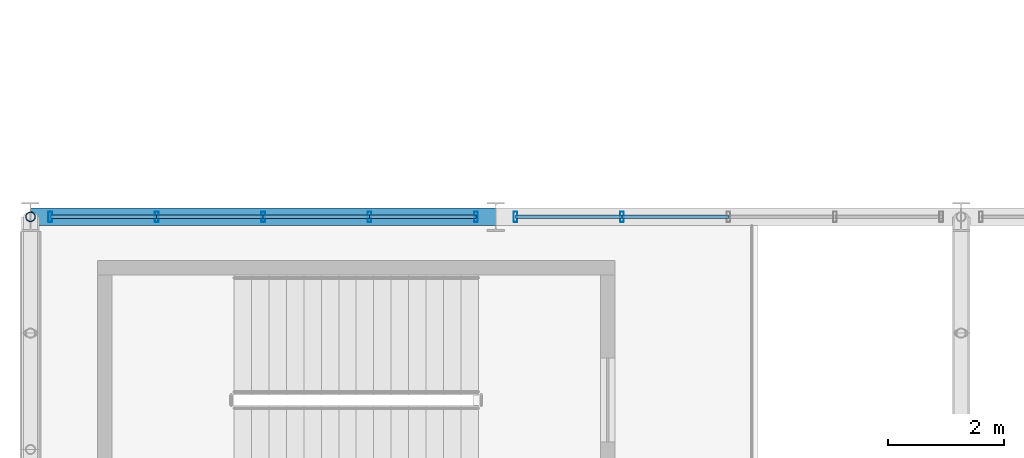
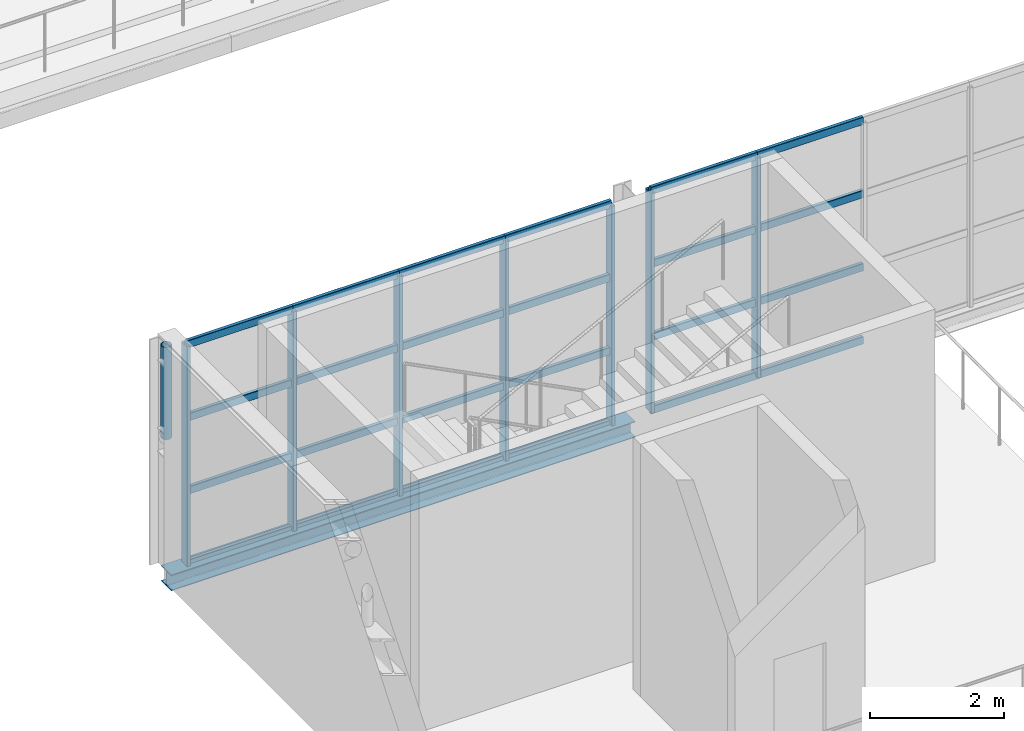
# One storey, part 28 of 67: 32 members, 1 beam, 2 elements without a shape of their own.
"""IFC4 building model written with IfcOpenShell, lengths in metres."""

from ifc_helpers import new_model, si_unit, derived_unit, direction, frame, origin, origin_2d, place, context, subcontext, project, spatial, hollow_rectangle, hollow_circle, i_section, extrude, material, material_profile, profile_set, type_object, element, aggregate, save


model = new_model("IFC4")

# Units and contexts
model_context = context("Model", 3, precision=1e-05, world=origin(), true_north=direction((0.0, 1.0)))
body_context = subcontext(model_context, "Body", "Model", "MODEL_VIEW")
ifc_project = project(units=[si_unit("LENGTHUNIT", "METRE"), si_unit("AREAUNIT", "SQUARE_METRE"), si_unit("VOLUMEUNIT", "CUBIC_METRE"), si_unit("PLANEANGLEUNIT", "RADIAN"), si_unit("MASSUNIT", "GRAM", prefix="KILO"), derived_unit("THERMALTRANSMITTANCEUNIT", [(si_unit("POWERUNIT", "WATT"), 1), (si_unit("LENGTHUNIT", "METRE"), -2), (si_unit("THERMODYNAMICTEMPERATUREUNIT", "KELVIN"), -1)])], contexts=[model_context])

# Site, building, storey
site_placement = place(None, origin())
site = spatial("IfcSite", under=ifc_project, at=site_placement, CompositionType="ELEMENT")
building_placement = place(site_placement, origin())
building = spatial("IfcBuilding", under=site, at=building_placement, Name="Keldorne Ridge Multi-Sports Centre", CompositionType="ELEMENT")
storey_placement = place(building_placement, frame((0.0, 0.0, 14.0)))
storey = spatial("IfcBuildingStorey", under=building, at=storey_placement, Name="L03", CompositionType="ELEMENT", Elevation=14.0)

# Beam
ifc_material_1 = material(Name="Steel S355", Category="steel")
ifc_material_profile_1 = material_profile(ifc_material_1, i_section(OverallWidth=0.300048828125, OverallDepth=0.2900390625, WebThickness=0.008544921875, FlangeThickness=0.013916015625, FilletRadius=0.027099609375, at=origin_2d()), Name="HEA 300")
ifc_profile_set_1 = profile_set([ifc_material_profile_1], Name="Steel S355")
beam_type = type_object("IfcBeamType", Name="BM-SP-04", PredefinedType="SPANDREL", material=ifc_profile_set_1)
beam_placement = place(storey_placement, frame((104.0, 54.0, -0.14990234375), z_axis=(1.0, 0.0, 0.0), x_axis=(0.0, 1.0, 0.0)))
element("IfcBeam", 1, at=beam_placement, inside=storey, type_object=beam_type, Name="Stacked Courts spandrel L03.54.1", PredefinedType="SPANDREL", context=body_context, shape_type="SweptSolid", body=[
    extrude(i_section(OverallWidth=0.300048828125, OverallDepth=0.2900390625, WebThickness=0.008544921875, FlangeThickness=0.013916015625, FilletRadius=0.027099609375, at=origin_2d()), origin(), (0.0, 0.0, 1.0), 8.0),
])

# Curtain wall, members
ifc_material_2 = material(Name="Anodized aluminium", Category="aluminium")
curtain_wall_type_1 = type_object("IfcCurtainWallType", Name="CW-CW-05", PredefinedType="NOTDEFINED", material=ifc_material_2)
curtain_wall_1_placement = place(storey_placement, origin())
curtain_wall_1 = element("IfcCurtainWall", 2, at=curtain_wall_1_placement, inside=storey, type_object=curtain_wall_type_1, Name="Upper Courts north clerestory 093", PredefinedType="NOTDEFINED")
ifc_material_profile_2 = material_profile(ifc_material_2, hollow_rectangle(XDim=0.06494140625, YDim=0.179931640625, WallThickness=0.00439453125, InnerFilletRadius=0.00439453125, OuterFilletRadius=0.009033203125, at=origin_2d()), Name="ALU MULLION 180x65x4.5")
ifc_profile_set_2 = profile_set([ifc_material_profile_2], Name="Anodized aluminium")
member_type_1 = type_object("IfcMemberType", Name="MEM-ML-01", PredefinedType="MULLION", material=ifc_profile_set_2)
member_1_placement = place(storey_placement, frame((111.659912109375, 54.0, 0.0), z_axis=(0.0, 0.0, 1.0), x_axis=(1.0, 0.0, 0.0)))
member_1 = element("IfcMember", 3, at=member_1_placement, type_object=member_type_1, Name="CW-093 vertical mullion 1", PredefinedType="MULLION", context=body_context, shape_type="SweptSolid", body=[
    extrude(hollow_rectangle(XDim=0.06494140625, YDim=0.179931640625, WallThickness=0.00439453125, InnerFilletRadius=0.00439453125, OuterFilletRadius=0.009033203125, at=origin_2d()), origin(), (0.0, 0.0, 1.0), 4.0),
])
member_2_placement = place(storey_placement, frame((109.830078125, 54.0, 0.0), z_axis=(0.0, 0.0, 1.0), x_axis=(1.0, 0.0, 0.0)))
member_2 = element("IfcMember", 4, at=member_2_placement, type_object=member_type_1, Name="CW-093 vertical mullion 2", PredefinedType="MULLION", context=body_context, shape_type="SweptSolid", body=[
    extrude(hollow_rectangle(XDim=0.06494140625, YDim=0.179931640625, WallThickness=0.00439453125, InnerFilletRadius=0.00439453125, OuterFilletRadius=0.009033203125, at=origin_2d()), origin(), (0.0, 0.0, 1.0), 4.0),
])
member_3_placement = place(storey_placement, frame((108.0, 54.0, 0.0), z_axis=(0.0, 0.0, 1.0), x_axis=(1.0, 0.0, 0.0)))
member_3 = element("IfcMember", 5, at=member_3_placement, type_object=member_type_1, Name="CW-093 vertical mullion 3", PredefinedType="MULLION", context=body_context, shape_type="SweptSolid", body=[
    extrude(hollow_rectangle(XDim=0.06494140625, YDim=0.179931640625, WallThickness=0.00439453125, InnerFilletRadius=0.00439453125, OuterFilletRadius=0.009033203125, at=origin_2d()), origin(), (0.0, 0.0, 1.0), 4.0),
])
member_4_placement = place(storey_placement, frame((106.169921875, 54.0, 0.0), z_axis=(0.0, 0.0, 1.0), x_axis=(1.0, 0.0, 0.0)))
member_4 = element("IfcMember", 6, at=member_4_placement, type_object=member_type_1, Name="CW-093 vertical mullion 4", PredefinedType="MULLION", context=body_context, shape_type="SweptSolid", body=[
    extrude(hollow_rectangle(XDim=0.06494140625, YDim=0.179931640625, WallThickness=0.00439453125, InnerFilletRadius=0.00439453125, OuterFilletRadius=0.009033203125, at=origin_2d()), origin(), (0.0, 0.0, 1.0), 4.0),
])
member_5_placement = place(storey_placement, frame((104.340087890625, 54.0, 0.0), z_axis=(0.0, 0.0, 1.0), x_axis=(1.0, 0.0, 0.0)))
member_5 = element("IfcMember", 7, at=member_5_placement, type_object=member_type_1, Name="CW-093 vertical mullion 5", PredefinedType="MULLION", context=body_context, shape_type="SweptSolid", body=[
    extrude(hollow_rectangle(XDim=0.06494140625, YDim=0.179931640625, WallThickness=0.00439453125, InnerFilletRadius=0.00439453125, OuterFilletRadius=0.009033203125, at=origin_2d()), origin(), (0.0, 0.0, 1.0), 4.0),
])

curtain_wall_type_2 = type_object("IfcCurtainWallType", Name="CW-CW-03", PredefinedType="NOTDEFINED", material=ifc_material_2)
curtain_wall_2_placement = place(storey_placement, origin())
curtain_wall_2 = element("IfcCurtainWall", 8, at=curtain_wall_2_placement, inside=storey, type_object=curtain_wall_type_2, Name="Upper Courts north clerestory 099", PredefinedType="NOTDEFINED")
member_6_placement = place(storey_placement, frame((114.169921875, 54.0, 0.0), z_axis=(0.0, 0.0, 1.0), x_axis=(1.0, 0.0, 0.0)))
member_6 = element("IfcMember", 9, at=member_6_placement, type_object=member_type_1, Name="CW-099 vertical mullion 4", PredefinedType="MULLION", context=body_context, shape_type="SweptSolid", body=[
    extrude(hollow_rectangle(XDim=0.06494140625, YDim=0.179931640625, WallThickness=0.00439453125, InnerFilletRadius=0.00439453125, OuterFilletRadius=0.009033203125, at=origin_2d()), origin(), (0.0, 0.0, 1.0), 4.0),
])
member_7_placement = place(storey_placement, frame((112.340087890625, 54.0, 0.0), z_axis=(0.0, 0.0, 1.0), x_axis=(1.0, 0.0, 0.0)))
member_7 = element("IfcMember", 10, at=member_7_placement, type_object=member_type_1, Name="CW-099 vertical mullion 5", PredefinedType="MULLION", context=body_context, shape_type="SweptSolid", body=[
    extrude(hollow_rectangle(XDim=0.06494140625, YDim=0.179931640625, WallThickness=0.00439453125, InnerFilletRadius=0.00439453125, OuterFilletRadius=0.009033203125, at=origin_2d()), origin(), (0.0, 0.0, 1.0), 4.0),
])

# Member
ifc_material_profile_3 = material_profile(ifc_material_2, hollow_rectangle(XDim=0.06494140625, YDim=0.139892578125, WallThickness=0.00439453125, InnerFilletRadius=0.00439453125, OuterFilletRadius=0.009033203125, at=origin_2d()), Name="ALU TRANSOM 140x65x4.5")
ifc_profile_set_3 = profile_set([ifc_material_profile_3], Name="Anodized aluminium")
member_type_2 = type_object("IfcMemberType", Name="MEM-TR-01", PredefinedType="USERDEFINED", material=ifc_profile_set_3)
member_8_placement = place(storey_placement, frame((111.659912109375, 54.0, 0.0), z_axis=(-1.0, 0.0, 0.0), x_axis=(0.0, -1.0, 0.0)))
member_8 = element("IfcMember", 11, at=member_8_placement, type_object=member_type_2, Name="CW-093 transom 1.1", ObjectType="TRANSOM", PredefinedType="USERDEFINED", context=body_context, shape_type="SweptSolid", body=[
    extrude(hollow_rectangle(XDim=0.06494140625, YDim=0.139892578125, WallThickness=0.00439453125, InnerFilletRadius=0.00439453125, OuterFilletRadius=0.009033203125, at=origin_2d()), origin(), (0.0, 0.0, 1.0), 1.829833984375),
])

member_9_placement = place(storey_placement, frame((111.659912109375, 54.0, 1.333251953125), z_axis=(-1.0, 0.0, 0.0), x_axis=(0.0, -1.0, 0.0)))
member_9 = element("IfcMember", 12, at=member_9_placement, type_object=member_type_2, Name="CW-093 transom 1.2", ObjectType="TRANSOM", PredefinedType="USERDEFINED", context=body_context, shape_type="SweptSolid", body=[
    extrude(hollow_rectangle(XDim=0.06494140625, YDim=0.139892578125, WallThickness=0.00439453125, InnerFilletRadius=0.00439453125, OuterFilletRadius=0.009033203125, at=origin_2d()), origin(), (0.0, 0.0, 1.0), 1.829833984375),
])

member_10_placement = place(storey_placement, frame((111.659912109375, 54.0, 2.666748046875), z_axis=(-1.0, 0.0, 0.0), x_axis=(0.0, -1.0, 0.0)))
member_10 = element("IfcMember", 13, at=member_10_placement, type_object=member_type_2, Name="CW-093 transom 1.3", ObjectType="TRANSOM", PredefinedType="USERDEFINED", context=body_context, shape_type="SweptSolid", body=[
    extrude(hollow_rectangle(XDim=0.06494140625, YDim=0.139892578125, WallThickness=0.00439453125, InnerFilletRadius=0.00439453125, OuterFilletRadius=0.009033203125, at=origin_2d()), origin(), (0.0, 0.0, 1.0), 1.829833984375),
])

member_11_placement = place(storey_placement, frame((111.659912109375, 54.0, 4.0), z_axis=(-1.0, 0.0, 0.0), x_axis=(0.0, -1.0, 0.0)))
member_11 = element("IfcMember", 14, at=member_11_placement, type_object=member_type_2, Name="CW-093 transom 1.4", ObjectType="TRANSOM", PredefinedType="USERDEFINED", context=body_context, shape_type="SweptSolid", body=[
    extrude(hollow_rectangle(XDim=0.06494140625, YDim=0.139892578125, WallThickness=0.00439453125, InnerFilletRadius=0.00439453125, OuterFilletRadius=0.009033203125, at=origin_2d()), origin(), (0.0, 0.0, 1.0), 1.829833984375),
])

member_12_placement = place(storey_placement, frame((109.830078125, 54.0, 0.0), z_axis=(-1.0, 0.0, 0.0), x_axis=(0.0, -1.0, 0.0)))
member_12 = element("IfcMember", 15, at=member_12_placement, type_object=member_type_2, Name="CW-093 transom 2.1", ObjectType="TRANSOM", PredefinedType="USERDEFINED", context=body_context, shape_type="SweptSolid", body=[
    extrude(hollow_rectangle(XDim=0.06494140625, YDim=0.139892578125, WallThickness=0.00439453125, InnerFilletRadius=0.00439453125, OuterFilletRadius=0.009033203125, at=origin_2d()), origin(), (0.0, 0.0, 1.0), 1.830078125),
])

member_13_placement = place(storey_placement, frame((109.830078125, 54.0, 1.333251953125), z_axis=(-1.0, 0.0, 0.0), x_axis=(0.0, -1.0, 0.0)))
member_13 = element("IfcMember", 16, at=member_13_placement, type_object=member_type_2, Name="CW-093 transom 2.2", ObjectType="TRANSOM", PredefinedType="USERDEFINED", context=body_context, shape_type="SweptSolid", body=[
    extrude(hollow_rectangle(XDim=0.06494140625, YDim=0.139892578125, WallThickness=0.00439453125, InnerFilletRadius=0.00439453125, OuterFilletRadius=0.009033203125, at=origin_2d()), origin(), (0.0, 0.0, 1.0), 1.830078125),
])

member_14_placement = place(storey_placement, frame((109.830078125, 54.0, 2.666748046875), z_axis=(-1.0, 0.0, 0.0), x_axis=(0.0, -1.0, 0.0)))
member_14 = element("IfcMember", 17, at=member_14_placement, type_object=member_type_2, Name="CW-093 transom 2.3", ObjectType="TRANSOM", PredefinedType="USERDEFINED", context=body_context, shape_type="SweptSolid", body=[
    extrude(hollow_rectangle(XDim=0.06494140625, YDim=0.139892578125, WallThickness=0.00439453125, InnerFilletRadius=0.00439453125, OuterFilletRadius=0.009033203125, at=origin_2d()), origin(), (0.0, 0.0, 1.0), 1.830078125),
])

member_15_placement = place(storey_placement, frame((109.830078125, 54.0, 4.0), z_axis=(-1.0, 0.0, 0.0), x_axis=(0.0, -1.0, 0.0)))
member_15 = element("IfcMember", 18, at=member_15_placement, type_object=member_type_2, Name="CW-093 transom 2.4", ObjectType="TRANSOM", PredefinedType="USERDEFINED", context=body_context, shape_type="SweptSolid", body=[
    extrude(hollow_rectangle(XDim=0.06494140625, YDim=0.139892578125, WallThickness=0.00439453125, InnerFilletRadius=0.00439453125, OuterFilletRadius=0.009033203125, at=origin_2d()), origin(), (0.0, 0.0, 1.0), 1.830078125),
])

member_16_placement = place(storey_placement, frame((108.0, 54.0, 0.0), z_axis=(-1.0, 0.0, 0.0), x_axis=(0.0, -1.0, 0.0)))
member_16 = element("IfcMember", 19, at=member_16_placement, type_object=member_type_2, Name="CW-093 transom 3.1", ObjectType="TRANSOM", PredefinedType="USERDEFINED", context=body_context, shape_type="SweptSolid", body=[
    extrude(hollow_rectangle(XDim=0.06494140625, YDim=0.139892578125, WallThickness=0.00439453125, InnerFilletRadius=0.00439453125, OuterFilletRadius=0.009033203125, at=origin_2d()), origin(), (0.0, 0.0, 1.0), 1.830078125),
])

member_17_placement = place(storey_placement, frame((108.0, 54.0, 1.333251953125), z_axis=(-1.0, 0.0, 0.0), x_axis=(0.0, -1.0, 0.0)))
member_17 = element("IfcMember", 20, at=member_17_placement, type_object=member_type_2, Name="CW-093 transom 3.2", ObjectType="TRANSOM", PredefinedType="USERDEFINED", context=body_context, shape_type="SweptSolid", body=[
    extrude(hollow_rectangle(XDim=0.06494140625, YDim=0.139892578125, WallThickness=0.00439453125, InnerFilletRadius=0.00439453125, OuterFilletRadius=0.009033203125, at=origin_2d()), origin(), (0.0, 0.0, 1.0), 1.830078125),
])

member_18_placement = place(storey_placement, frame((108.0, 54.0, 2.666748046875), z_axis=(-1.0, 0.0, 0.0), x_axis=(0.0, -1.0, 0.0)))
member_18 = element("IfcMember", 21, at=member_18_placement, type_object=member_type_2, Name="CW-093 transom 3.3", ObjectType="TRANSOM", PredefinedType="USERDEFINED", context=body_context, shape_type="SweptSolid", body=[
    extrude(hollow_rectangle(XDim=0.06494140625, YDim=0.139892578125, WallThickness=0.00439453125, InnerFilletRadius=0.00439453125, OuterFilletRadius=0.009033203125, at=origin_2d()), origin(), (0.0, 0.0, 1.0), 1.830078125),
])

member_19_placement = place(storey_placement, frame((108.0, 54.0, 4.0), z_axis=(-1.0, 0.0, 0.0), x_axis=(0.0, -1.0, 0.0)))
member_19 = element("IfcMember", 22, at=member_19_placement, type_object=member_type_2, Name="CW-093 transom 3.4", ObjectType="TRANSOM", PredefinedType="USERDEFINED", context=body_context, shape_type="SweptSolid", body=[
    extrude(hollow_rectangle(XDim=0.06494140625, YDim=0.139892578125, WallThickness=0.00439453125, InnerFilletRadius=0.00439453125, OuterFilletRadius=0.009033203125, at=origin_2d()), origin(), (0.0, 0.0, 1.0), 1.830078125),
])

member_20_placement = place(storey_placement, frame((106.169921875, 54.0, 0.0), z_axis=(-1.0, 0.0, 0.0), x_axis=(0.0, -1.0, 0.0)))
member_20 = element("IfcMember", 23, at=member_20_placement, type_object=member_type_2, Name="CW-093 transom 4.1", ObjectType="TRANSOM", PredefinedType="USERDEFINED", context=body_context, shape_type="SweptSolid", body=[
    extrude(hollow_rectangle(XDim=0.06494140625, YDim=0.139892578125, WallThickness=0.00439453125, InnerFilletRadius=0.00439453125, OuterFilletRadius=0.009033203125, at=origin_2d()), origin(), (0.0, 0.0, 1.0), 1.829833984375),
])

member_21_placement = place(storey_placement, frame((106.169921875, 54.0, 1.333251953125), z_axis=(-1.0, 0.0, 0.0), x_axis=(0.0, -1.0, 0.0)))
member_21 = element("IfcMember", 24, at=member_21_placement, type_object=member_type_2, Name="CW-093 transom 4.2", ObjectType="TRANSOM", PredefinedType="USERDEFINED", context=body_context, shape_type="SweptSolid", body=[
    extrude(hollow_rectangle(XDim=0.06494140625, YDim=0.139892578125, WallThickness=0.00439453125, InnerFilletRadius=0.00439453125, OuterFilletRadius=0.009033203125, at=origin_2d()), origin(), (0.0, 0.0, 1.0), 1.829833984375),
])

member_22_placement = place(storey_placement, frame((106.169921875, 54.0, 2.666748046875), z_axis=(-1.0, 0.0, 0.0), x_axis=(0.0, -1.0, 0.0)))
member_22 = element("IfcMember", 25, at=member_22_placement, type_object=member_type_2, Name="CW-093 transom 4.3", ObjectType="TRANSOM", PredefinedType="USERDEFINED", context=body_context, shape_type="SweptSolid", body=[
    extrude(hollow_rectangle(XDim=0.06494140625, YDim=0.139892578125, WallThickness=0.00439453125, InnerFilletRadius=0.00439453125, OuterFilletRadius=0.009033203125, at=origin_2d()), origin(), (0.0, 0.0, 1.0), 1.829833984375),
])

member_23_placement = place(storey_placement, frame((106.169921875, 54.0, 4.0), z_axis=(-1.0, 0.0, 0.0), x_axis=(0.0, -1.0, 0.0)))
member_23 = element("IfcMember", 26, at=member_23_placement, type_object=member_type_2, Name="CW-093 transom 4.4", ObjectType="TRANSOM", PredefinedType="USERDEFINED", context=body_context, shape_type="SweptSolid", body=[
    extrude(hollow_rectangle(XDim=0.06494140625, YDim=0.139892578125, WallThickness=0.00439453125, InnerFilletRadius=0.00439453125, OuterFilletRadius=0.009033203125, at=origin_2d()), origin(), (0.0, 0.0, 1.0), 1.829833984375),
])

aggregate(curtain_wall_1, [member_1, member_2, member_3, member_4, member_5, member_8, member_9, member_10, member_11, member_12, member_13, member_14, member_15, member_16, member_17, member_18, member_19, member_20, member_21, member_22, member_23])

member_24_placement = place(storey_placement, frame((116.0, 54.0, 0.0), z_axis=(-1.0, 0.0, 0.0), x_axis=(0.0, -1.0, 0.0)))
member_24 = element("IfcMember", 27, at=member_24_placement, type_object=member_type_2, Name="CW-099 transom 3.1", ObjectType="TRANSOM", PredefinedType="USERDEFINED", context=body_context, shape_type="SweptSolid", body=[
    extrude(hollow_rectangle(XDim=0.06494140625, YDim=0.139892578125, WallThickness=0.00439453125, InnerFilletRadius=0.00439453125, OuterFilletRadius=0.009033203125, at=origin_2d()), origin(), (0.0, 0.0, 1.0), 1.830078125),
])

member_25_placement = place(storey_placement, frame((116.0, 54.0, 1.333251953125), z_axis=(-1.0, 0.0, 0.0), x_axis=(0.0, -1.0, 0.0)))
member_25 = element("IfcMember", 28, at=member_25_placement, type_object=member_type_2, Name="CW-099 transom 3.2", ObjectType="TRANSOM", PredefinedType="USERDEFINED", context=body_context, shape_type="SweptSolid", body=[
    extrude(hollow_rectangle(XDim=0.06494140625, YDim=0.139892578125, WallThickness=0.00439453125, InnerFilletRadius=0.00439453125, OuterFilletRadius=0.009033203125, at=origin_2d()), origin(), (0.0, 0.0, 1.0), 1.830078125),
])

member_26_placement = place(storey_placement, frame((116.0, 54.0, 2.666748046875), z_axis=(-1.0, 0.0, 0.0), x_axis=(0.0, -1.0, 0.0)))
member_26 = element("IfcMember", 29, at=member_26_placement, type_object=member_type_2, Name="CW-099 transom 3.3", ObjectType="TRANSOM", PredefinedType="USERDEFINED", context=body_context, shape_type="SweptSolid", body=[
    extrude(hollow_rectangle(XDim=0.06494140625, YDim=0.139892578125, WallThickness=0.00439453125, InnerFilletRadius=0.00439453125, OuterFilletRadius=0.009033203125, at=origin_2d()), origin(), (0.0, 0.0, 1.0), 1.830078125),
])

member_27_placement = place(storey_placement, frame((116.0, 54.0, 4.0), z_axis=(-1.0, 0.0, 0.0), x_axis=(0.0, -1.0, 0.0)))
member_27 = element("IfcMember", 30, at=member_27_placement, type_object=member_type_2, Name="CW-099 transom 3.4", ObjectType="TRANSOM", PredefinedType="USERDEFINED", context=body_context, shape_type="SweptSolid", body=[
    extrude(hollow_rectangle(XDim=0.06494140625, YDim=0.139892578125, WallThickness=0.00439453125, InnerFilletRadius=0.00439453125, OuterFilletRadius=0.009033203125, at=origin_2d()), origin(), (0.0, 0.0, 1.0), 1.830078125),
])

member_28_placement = place(storey_placement, frame((114.169921875, 54.0, 0.0), z_axis=(-1.0, 0.0, 0.0), x_axis=(0.0, -1.0, 0.0)))
member_28 = element("IfcMember", 31, at=member_28_placement, type_object=member_type_2, Name="CW-099 transom 4.1", ObjectType="TRANSOM", PredefinedType="USERDEFINED", context=body_context, shape_type="SweptSolid", body=[
    extrude(hollow_rectangle(XDim=0.06494140625, YDim=0.139892578125, WallThickness=0.00439453125, InnerFilletRadius=0.00439453125, OuterFilletRadius=0.009033203125, at=origin_2d()), origin(), (0.0, 0.0, 1.0), 1.829833984375),
])

member_29_placement = place(storey_placement, frame((114.169921875, 54.0, 1.333251953125), z_axis=(-1.0, 0.0, 0.0), x_axis=(0.0, -1.0, 0.0)))
member_29 = element("IfcMember", 32, at=member_29_placement, type_object=member_type_2, Name="CW-099 transom 4.2", ObjectType="TRANSOM", PredefinedType="USERDEFINED", context=body_context, shape_type="SweptSolid", body=[
    extrude(hollow_rectangle(XDim=0.06494140625, YDim=0.139892578125, WallThickness=0.00439453125, InnerFilletRadius=0.00439453125, OuterFilletRadius=0.009033203125, at=origin_2d()), origin(), (0.0, 0.0, 1.0), 1.829833984375),
])

member_30_placement = place(storey_placement, frame((114.169921875, 54.0, 2.666748046875), z_axis=(-1.0, 0.0, 0.0), x_axis=(0.0, -1.0, 0.0)))
member_30 = element("IfcMember", 33, at=member_30_placement, type_object=member_type_2, Name="CW-099 transom 4.3", ObjectType="TRANSOM", PredefinedType="USERDEFINED", context=body_context, shape_type="SweptSolid", body=[
    extrude(hollow_rectangle(XDim=0.06494140625, YDim=0.139892578125, WallThickness=0.00439453125, InnerFilletRadius=0.00439453125, OuterFilletRadius=0.009033203125, at=origin_2d()), origin(), (0.0, 0.0, 1.0), 1.829833984375),
])

member_31_placement = place(storey_placement, frame((114.169921875, 54.0, 4.0), z_axis=(-1.0, 0.0, 0.0), x_axis=(0.0, -1.0, 0.0)))
member_31 = element("IfcMember", 34, at=member_31_placement, type_object=member_type_2, Name="CW-099 transom 4.4", ObjectType="TRANSOM", PredefinedType="USERDEFINED", context=body_context, shape_type="SweptSolid", body=[
    extrude(hollow_rectangle(XDim=0.06494140625, YDim=0.139892578125, WallThickness=0.00439453125, InnerFilletRadius=0.00439453125, OuterFilletRadius=0.009033203125, at=origin_2d()), origin(), (0.0, 0.0, 1.0), 1.829833984375),
])

aggregate(curtain_wall_2, [member_6, member_7, member_24, member_25, member_26, member_27, member_28, member_29, member_30, member_31])

ifc_material_profile_4 = material_profile(ifc_material_1, hollow_circle(Radius=0.084228515625, WallThickness=0.010009765625, at=origin_2d()), Name="CHS 168.3x10")
ifc_profile_set_4 = profile_set([ifc_material_profile_4], Name="Steel S355")
member_type_3 = type_object("IfcMemberType", Name="MEM-TV-01", PredefinedType="STRUT", material=ifc_profile_set_4)
member_32_placement = place(storey_placement, frame((104.0, 54.0, 2.429931640625), z_axis=(0.0, 0.0, 1.0), x_axis=(1.0, 0.0, 0.0)))
element("IfcMember", 35, at=member_32_placement, inside=storey, type_object=member_type_3, Name="Stacked Courts Warren TRUSS WT-L04-01 end post 24", PredefinedType="STRUT", context=body_context, shape_type="SweptSolid", body=[
    extrude(hollow_circle(Radius=0.084228515625, WallThickness=0.010009765625, at=origin_2d()), origin(), (0.0, 0.0, 1.0), 1.68017578125),
])

save(model, "model.ifc")
